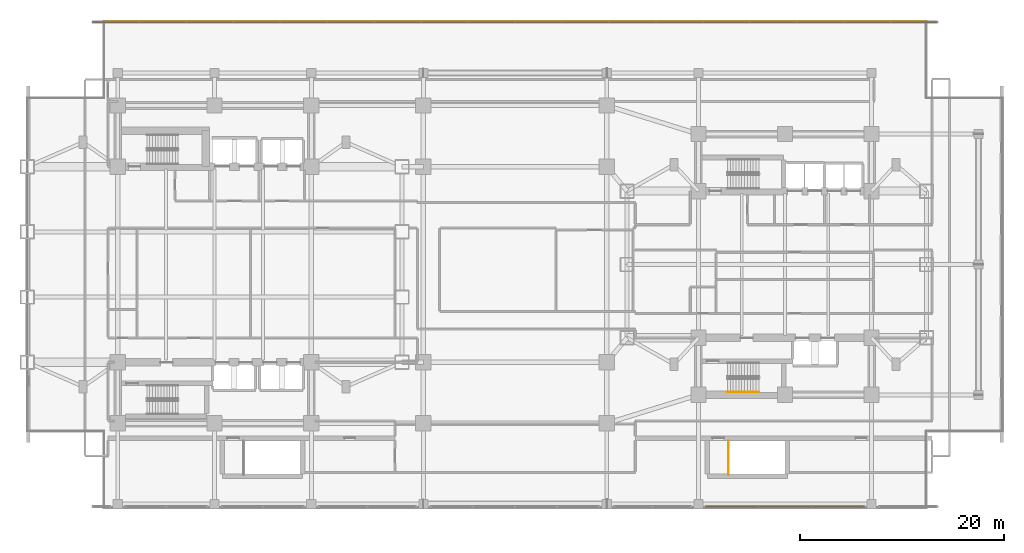
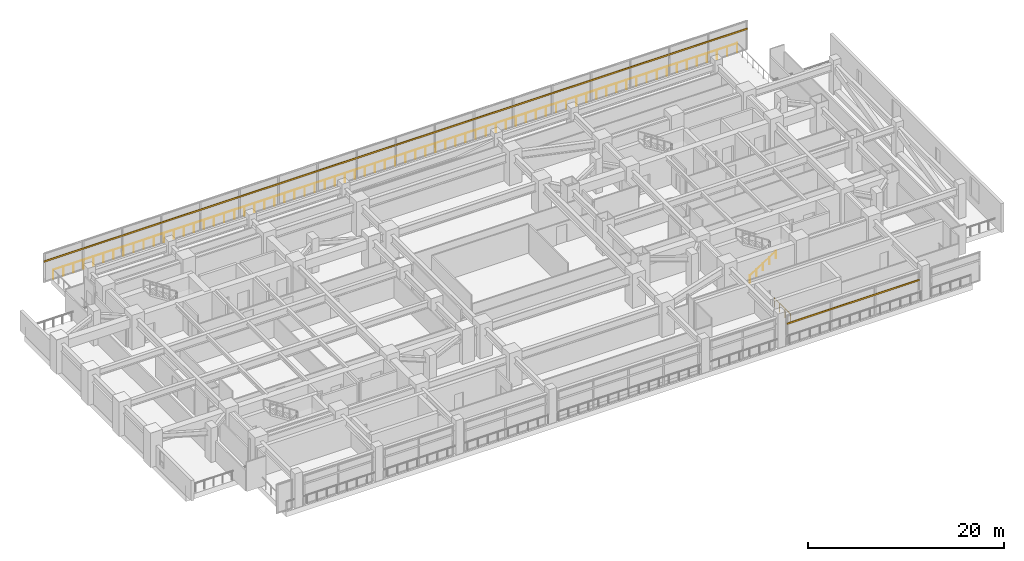
# One storey, part 24 of 27: 3 railings, 2 shading devices.
"""IFC4 building model written with IfcOpenShell, lengths in metres."""

from ifc_helpers import new_model, si_unit, direction, frame, origin, origin_2d, place, context, subcontext, project, spatial, rectangle, circle, extrude, material, material_profile, profile_set, type_object, element, save


model = new_model("IFC4")

# Units and contexts
model_context = context("Model", 3, precision=1e-05, world=origin(), true_north=direction((0.0, 1.0)))
body_context = subcontext(model_context, "Body", "Model", "MODEL_VIEW")
ifc_project = project(units=[si_unit("LENGTHUNIT", "METRE"), si_unit("AREAUNIT", "SQUARE_METRE"), si_unit("VOLUMEUNIT", "CUBIC_METRE"), si_unit("PLANEANGLEUNIT", "RADIAN"), si_unit("MASSUNIT", "GRAM", prefix="KILO")], contexts=[model_context])

# Site, building, storey
site_placement = place(None, origin())
site = spatial("IfcSite", under=ifc_project, at=site_placement, CompositionType="ELEMENT")
building_placement = place(site_placement, origin())
building = spatial("IfcBuilding", under=site, at=building_placement, Name="Mirazonda Arch Towers", CompositionType="ELEMENT")
storey_placement = place(building_placement, frame((0.0, 0.0, 18.10009765625)))
storey = spatial("IfcBuildingStorey", under=building, at=storey_placement, Name="L04", CompositionType="ELEMENT", Elevation=18.10009765625)

# Shading devices
ifc_material_1 = material(Name="Kiln-Fired Architectural Terracotta", Category="masonry")
ifc_material_profile = material_profile(ifc_material_1, rectangle(XDim=0.10009765625, YDim=0.199951171875, at=origin_2d()), Name="TERRA-BAG-100x200")
ifc_profile_set = profile_set([ifc_material_profile], Name="Kiln-Fired Architectural Terracotta")
shading_device_type = type_object("IfcShadingDeviceType", Name="BAGUETTE-2", PredefinedType="USERDEFINED", material=ifc_profile_set)
shading_device_1_placement = place(storey_placement, frame((84.31005859375, 4.219970703125, 2.613525390625), z_axis=(-1.0, 0.0, 0.0), x_axis=(0.0, -1.0, 0.0)))
element("IfcShadingDevice", 1, at=shading_device_1_placement, inside=storey, type_object=shading_device_type, Name="L04 Glazed Terracotta Sun-Screen Baguette CW-L04-S1-S2", ObjectType="BAGUETTE", PredefinedType="USERDEFINED", context=body_context, shape_type="SweptSolid", body=[
    extrude(rectangle(XDim=0.10009765625, YDim=0.199951171875, at=origin_2d()), origin(), (0.0, 0.0, 1.0), 15.6201171875),
])
shading_device_2_placement = place(storey_placement, frame((8.5, 51.780029296875, 2.613525390625), z_axis=(1.0, 0.0, 0.0), x_axis=(0.0, 1.0, 0.0)))
element("IfcShadingDevice", 2, at=shading_device_2_placement, inside=storey, type_object=shading_device_type, Name="L04 Glazed Terracotta Sun-Screen Baguette CW-L04-N1", ObjectType="BAGUETTE", PredefinedType="USERDEFINED", context=body_context, shape_type="SweptSolid", body=[
    extrude(rectangle(XDim=0.10009765625, YDim=0.199951171875, at=origin_2d()), origin(), (0.0, 0.0, 1.0), 83.0),
])

# Railings
ifc_material_2 = material(Name="Architectural Brushed Steel S355", Category="steel")
railing_type_1 = type_object("IfcRailingType", Name="GUARD-EXT-1150", PredefinedType="GUARDRAIL", material=ifc_material_2)
railing_1_placement = place(storey_placement, frame((90.360107421875, 51.860107421875, 0.0)))
element("IfcRailing", 3, at=railing_1_placement, inside=storey, type_object=railing_type_1, Name="L04 L04 Bridged Podium Perimeter Guard 07", PredefinedType="GUARDRAIL", context=body_context, shape_type="SweptSolid", body=[
    extrude(circle(Radius=0.02392578125, at=origin_2d()), frame((0.0, 0.0, 1.1259765625), z_axis=(-1.0, 0.0, 0.0), x_axis=(0.0, -1.0, 0.0)), (0.0, 0.0, 1.0), 80.72021484375),
    extrude(circle(Radius=0.02099609375, at=origin_2d()), origin(), (0.0, 0.0, 1.0), 1.101806640625),
    extrude(circle(Radius=0.02099609375, at=origin_2d()), frame((-1.18701171875, 0.0, 0.0)), (0.0, 0.0, 1.0), 1.101806640625),
    extrude(circle(Radius=0.02099609375, at=origin_2d()), frame((-2.3740234375, 0.0, 0.0)), (0.0, 0.0, 1.0), 1.101806640625),
    extrude(circle(Radius=0.02099609375, at=origin_2d()), frame((-3.561279296875, 0.0, 0.0)), (0.0, 0.0, 1.0), 1.101806640625),
    extrude(circle(Radius=0.02099609375, at=origin_2d()), frame((-4.748291015625, 0.0, 0.0)), (0.0, 0.0, 1.0), 1.101806640625),
    extrude(circle(Radius=0.02099609375, at=origin_2d()), frame((-5.935302734375, 0.0, 0.0)), (0.0, 0.0, 1.0), 1.101806640625),
    extrude(circle(Radius=0.02099609375, at=origin_2d()), frame((-7.122314453125, 0.0, 0.0)), (0.0, 0.0, 1.0), 1.101806640625),
    extrude(circle(Radius=0.02099609375, at=origin_2d()), frame((-8.309326171875, 0.0, 0.0)), (0.0, 0.0, 1.0), 1.101806640625),
    extrude(circle(Radius=0.02099609375, at=origin_2d()), frame((-9.49658203125, 0.0, 0.0)), (0.0, 0.0, 1.0), 1.101806640625),
    extrude(circle(Radius=0.02099609375, at=origin_2d()), frame((-10.68359375, 0.0, 0.0)), (0.0, 0.0, 1.0), 1.101806640625),
    extrude(circle(Radius=0.02099609375, at=origin_2d()), frame((-11.87060546875, 0.0, 0.0)), (0.0, 0.0, 1.0), 1.101806640625),
    extrude(circle(Radius=0.02099609375, at=origin_2d()), frame((-13.0576171875, 0.0, 0.0)), (0.0, 0.0, 1.0), 1.101806640625),
    extrude(circle(Radius=0.02099609375, at=origin_2d()), frame((-14.24462890625, 0.0, 0.0)), (0.0, 0.0, 1.0), 1.101806640625),
    extrude(circle(Radius=0.02099609375, at=origin_2d()), frame((-15.431884765625, 0.0, 0.0)), (0.0, 0.0, 1.0), 1.101806640625),
    extrude(circle(Radius=0.02099609375, at=origin_2d()), frame((-16.618896484375, 0.0, 0.0)), (0.0, 0.0, 1.0), 1.101806640625),
    extrude(circle(Radius=0.02099609375, at=origin_2d()), frame((-17.805908203125, 0.0, 0.0)), (0.0, 0.0, 1.0), 1.101806640625),
    extrude(circle(Radius=0.02099609375, at=origin_2d()), frame((-18.992919921875, 0.0, 0.0)), (0.0, 0.0, 1.0), 1.101806640625),
    extrude(circle(Radius=0.02099609375, at=origin_2d()), frame((-20.18017578125, 0.0, 0.0)), (0.0, 0.0, 1.0), 1.101806640625),
    extrude(circle(Radius=0.02099609375, at=origin_2d()), frame((-21.3671875, 0.0, 0.0)), (0.0, 0.0, 1.0), 1.101806640625),
    extrude(circle(Radius=0.02099609375, at=origin_2d()), frame((-22.55419921875, 0.0, 0.0)), (0.0, 0.0, 1.0), 1.101806640625),
    extrude(circle(Radius=0.02099609375, at=origin_2d()), frame((-23.7412109375, 0.0, 0.0)), (0.0, 0.0, 1.0), 1.101806640625),
    extrude(circle(Radius=0.02099609375, at=origin_2d()), frame((-24.92822265625, 0.0, 0.0)), (0.0, 0.0, 1.0), 1.101806640625),
    extrude(circle(Radius=0.02099609375, at=origin_2d()), frame((-26.115478515625, 0.0, 0.0)), (0.0, 0.0, 1.0), 1.101806640625),
    extrude(circle(Radius=0.02099609375, at=origin_2d()), frame((-27.302490234375, 0.0, 0.0)), (0.0, 0.0, 1.0), 1.101806640625),
    extrude(circle(Radius=0.02099609375, at=origin_2d()), frame((-28.489501953125, 0.0, 0.0)), (0.0, 0.0, 1.0), 1.101806640625),
    extrude(circle(Radius=0.02099609375, at=origin_2d()), frame((-29.676513671875, 0.0, 0.0)), (0.0, 0.0, 1.0), 1.101806640625),
    extrude(circle(Radius=0.02099609375, at=origin_2d()), frame((-30.863525390625, 0.0, 0.0)), (0.0, 0.0, 1.0), 1.101806640625),
    extrude(circle(Radius=0.02099609375, at=origin_2d()), frame((-32.05078125, 0.0, 0.0)), (0.0, 0.0, 1.0), 1.101806640625),
    extrude(circle(Radius=0.02099609375, at=origin_2d()), frame((-33.23779296875, 0.0, 0.0)), (0.0, 0.0, 1.0), 1.101806640625),
    extrude(circle(Radius=0.02099609375, at=origin_2d()), frame((-34.4248046875, 0.0, 0.0)), (0.0, 0.0, 1.0), 1.101806640625),
    extrude(circle(Radius=0.02099609375, at=origin_2d()), frame((-35.61181640625, 0.0, 0.0)), (0.0, 0.0, 1.0), 1.101806640625),
    extrude(circle(Radius=0.02099609375, at=origin_2d()), frame((-36.798828125, 0.0, 0.0)), (0.0, 0.0, 1.0), 1.101806640625),
    extrude(circle(Radius=0.02099609375, at=origin_2d()), frame((-37.986083984375, 0.0, 0.0)), (0.0, 0.0, 1.0), 1.101806640625),
    extrude(circle(Radius=0.02099609375, at=origin_2d()), frame((-39.173095703125, 0.0, 0.0)), (0.0, 0.0, 1.0), 1.101806640625),
    extrude(circle(Radius=0.02099609375, at=origin_2d()), frame((-40.360107421875, 0.0, 0.0)), (0.0, 0.0, 1.0), 1.101806640625),
    extrude(circle(Radius=0.02099609375, at=origin_2d()), frame((-41.547119140625, 0.0, 0.0)), (0.0, 0.0, 1.0), 1.101806640625),
    extrude(circle(Radius=0.02099609375, at=origin_2d()), frame((-42.734130859375, 0.0, 0.0)), (0.0, 0.0, 1.0), 1.101806640625),
    extrude(circle(Radius=0.02099609375, at=origin_2d()), frame((-43.92138671875, 0.0, 0.0)), (0.0, 0.0, 1.0), 1.101806640625),
    extrude(circle(Radius=0.02099609375, at=origin_2d()), frame((-45.1083984375, 0.0, 0.0)), (0.0, 0.0, 1.0), 1.101806640625),
    extrude(circle(Radius=0.02099609375, at=origin_2d()), frame((-46.29541015625, 0.0, 0.0)), (0.0, 0.0, 1.0), 1.101806640625),
    extrude(circle(Radius=0.02099609375, at=origin_2d()), frame((-47.482421875, 0.0, 0.0)), (0.0, 0.0, 1.0), 1.101806640625),
    extrude(circle(Radius=0.02099609375, at=origin_2d()), frame((-48.66943359375, 0.0, 0.0)), (0.0, 0.0, 1.0), 1.101806640625),
    extrude(circle(Radius=0.02099609375, at=origin_2d()), frame((-49.856689453125, 0.0, 0.0)), (0.0, 0.0, 1.0), 1.101806640625),
    extrude(circle(Radius=0.02099609375, at=origin_2d()), frame((-51.043701171875, 0.0, 0.0)), (0.0, 0.0, 1.0), 1.101806640625),
    extrude(circle(Radius=0.02099609375, at=origin_2d()), frame((-52.230712890625, 0.0, 0.0)), (0.0, 0.0, 1.0), 1.101806640625),
    extrude(circle(Radius=0.02099609375, at=origin_2d()), frame((-53.417724609375, 0.0, 0.0)), (0.0, 0.0, 1.0), 1.101806640625),
    extrude(circle(Radius=0.02099609375, at=origin_2d()), frame((-54.604736328125, 0.0, 0.0)), (0.0, 0.0, 1.0), 1.101806640625),
    extrude(circle(Radius=0.02099609375, at=origin_2d()), frame((-55.7919921875, 0.0, 0.0)), (0.0, 0.0, 1.0), 1.101806640625),
    extrude(circle(Radius=0.02099609375, at=origin_2d()), frame((-56.97900390625, 0.0, 0.0)), (0.0, 0.0, 1.0), 1.101806640625),
    extrude(circle(Radius=0.02099609375, at=origin_2d()), frame((-58.166015625, 0.0, 0.0)), (0.0, 0.0, 1.0), 1.101806640625),
    extrude(circle(Radius=0.02099609375, at=origin_2d()), frame((-59.35302734375, 0.0, 0.0)), (0.0, 0.0, 1.0), 1.101806640625),
    extrude(circle(Radius=0.02099609375, at=origin_2d()), frame((-60.5400390625, 0.0, 0.0)), (0.0, 0.0, 1.0), 1.101806640625),
    extrude(circle(Radius=0.02099609375, at=origin_2d()), frame((-61.727294921875, 0.0, 0.0)), (0.0, 0.0, 1.0), 1.101806640625),
    extrude(circle(Radius=0.02099609375, at=origin_2d()), frame((-62.914306640625, 0.0, 0.0)), (0.0, 0.0, 1.0), 1.101806640625),
    extrude(circle(Radius=0.02099609375, at=origin_2d()), frame((-64.101318359375, 0.0, 0.0)), (0.0, 0.0, 1.0), 1.101806640625),
    extrude(circle(Radius=0.02099609375, at=origin_2d()), frame((-65.288330078125, 0.0, 0.0)), (0.0, 0.0, 1.0), 1.101806640625),
    extrude(circle(Radius=0.02099609375, at=origin_2d()), frame((-66.4755859375, 0.0, 0.0)), (0.0, 0.0, 1.0), 1.101806640625),
    extrude(circle(Radius=0.02099609375, at=origin_2d()), frame((-67.66259765625, 0.0, 0.0)), (0.0, 0.0, 1.0), 1.101806640625),
    extrude(circle(Radius=0.02099609375, at=origin_2d()), frame((-68.849609375, 0.0, 0.0)), (0.0, 0.0, 1.0), 1.101806640625),
    extrude(circle(Radius=0.02099609375, at=origin_2d()), frame((-70.03662109375, 0.0, 0.0)), (0.0, 0.0, 1.0), 1.101806640625),
    extrude(circle(Radius=0.02099609375, at=origin_2d()), frame((-71.2236328125, 0.0, 0.0)), (0.0, 0.0, 1.0), 1.101806640625),
    extrude(circle(Radius=0.02099609375, at=origin_2d()), frame((-72.410888671875, 0.0, 0.0)), (0.0, 0.0, 1.0), 1.101806640625),
    extrude(circle(Radius=0.02099609375, at=origin_2d()), frame((-73.597900390625, 0.0, 0.0)), (0.0, 0.0, 1.0), 1.101806640625),
    extrude(circle(Radius=0.02099609375, at=origin_2d()), frame((-74.784912109375, 0.0, 0.0)), (0.0, 0.0, 1.0), 1.101806640625),
    extrude(circle(Radius=0.02099609375, at=origin_2d()), frame((-75.971923828125, 0.0, 0.0)), (0.0, 0.0, 1.0), 1.101806640625),
    extrude(circle(Radius=0.02099609375, at=origin_2d()), frame((-77.158935546875, 0.0, 0.0)), (0.0, 0.0, 1.0), 1.101806640625),
    extrude(circle(Radius=0.02099609375, at=origin_2d()), frame((-78.34619140625, 0.0, 0.0)), (0.0, 0.0, 1.0), 1.101806640625),
    extrude(circle(Radius=0.02099609375, at=origin_2d()), frame((-79.533203125, 0.0, 0.0)), (0.0, 0.0, 1.0), 1.101806640625),
    extrude(circle(Radius=0.02099609375, at=origin_2d()), frame((-80.72021484375, 0.0, 0.0)), (0.0, 0.0, 1.0), 1.101806640625),
])
railing_type_2 = type_object("IfcRailingType", Name="GUARD-STAIR-1120", PredefinedType="GUARDRAIL", material=ifc_material_2)
railing_2_placement = place(storey_placement, frame((70.949951171875, 7.35009765625, 0.0)))
element("IfcRailing", 4, at=railing_2_placement, inside=storey, type_object=railing_type_2, Name="L04 ST-POD2 top well guard 1", PredefinedType="GUARDRAIL", context=body_context, shape_type="SweptSolid", body=[
    extrude(circle(Radius=0.02392578125, at=origin_2d()), frame((0.0, 0.0, 1.1259765625), z_axis=(0.0, 1.0, 0.0), x_axis=(-1.0, 0.0, 0.0)), (0.0, 0.0, 1.0), 3.33984375),
    extrude(circle(Radius=0.02099609375, at=origin_2d()), origin(), (0.0, 0.0, 1.0), 1.101806640625),
    extrude(circle(Radius=0.02099609375, at=origin_2d()), frame((0.0, 1.11328125, 0.0)), (0.0, 0.0, 1.0), 1.101806640625),
    extrude(circle(Radius=0.02099609375, at=origin_2d()), frame((0.0, 2.2265625, 0.0)), (0.0, 0.0, 1.0), 1.101806640625),
    extrude(circle(Radius=0.02099609375, at=origin_2d()), frame((0.0, 3.33984375, 0.0)), (0.0, 0.0, 1.0), 1.101806640625),
])
railing_type_3 = type_object("IfcRailingType", Name="HANDRAIL-915", PredefinedType="HANDRAIL", material=ifc_material_2)
railing_3_placement = place(storey_placement, frame((70.85009765625, 15.469970703125, 0.178955078125)))
element("IfcRailing", 5, at=railing_3_placement, inside=storey, type_object=railing_type_3, Name="L04 ST-T2S stair handrail 1", PredefinedType="HANDRAIL", context=body_context, shape_type="SweptSolid", body=[
    extrude(circle(Radius=0.02392578125, at=origin_2d()), frame((0.0, 0.0, 0.8759765625), z_axis=(0.842289589211, 0.0, 0.539025275759), x_axis=(0.0, 1.0, 0.0)), (0.0, 0.0, 1.0), 3.656494140625),
    extrude(circle(Radius=0.02099609375, at=origin_2d()), origin(), (0.0, 0.0, 1.0), 0.851806640625),
    extrude(circle(Radius=0.02099609375, at=origin_2d()), frame((0.77001953125, 0.0, 0.49267578125)), (0.0, 0.0, 1.0), 0.851806640625),
    extrude(circle(Radius=0.02099609375, at=origin_2d()), frame((1.5400390625, 0.0, 0.9853515625)), (0.0, 0.0, 1.0), 0.851806640625),
    extrude(circle(Radius=0.02099609375, at=origin_2d()), frame((2.309814453125, 0.0, 1.478271484375)), (0.0, 0.0, 1.0), 0.851806640625),
    extrude(circle(Radius=0.02099609375, at=origin_2d()), frame((3.079833984375, 0.0, 1.970947265625)), (0.0, 0.0, 1.0), 0.851806640625),
])

save(model, "model.ifc")
